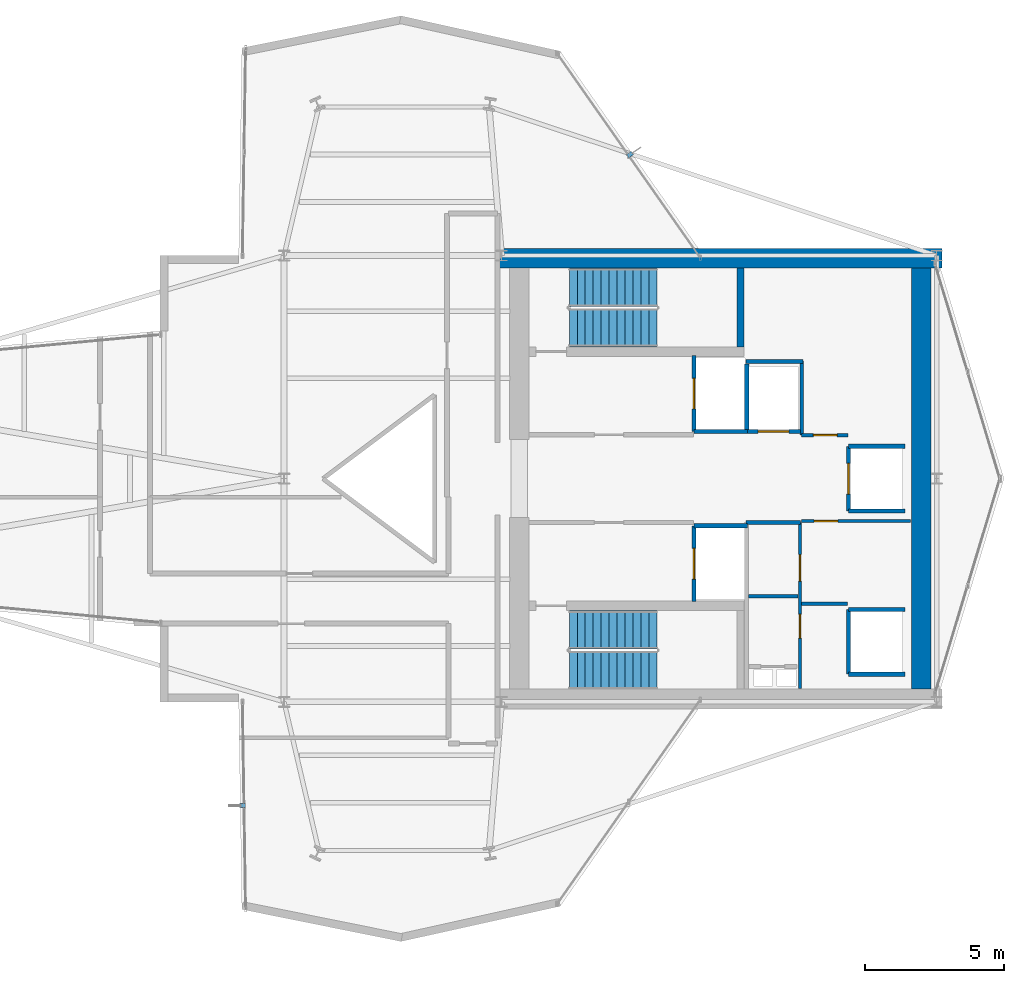
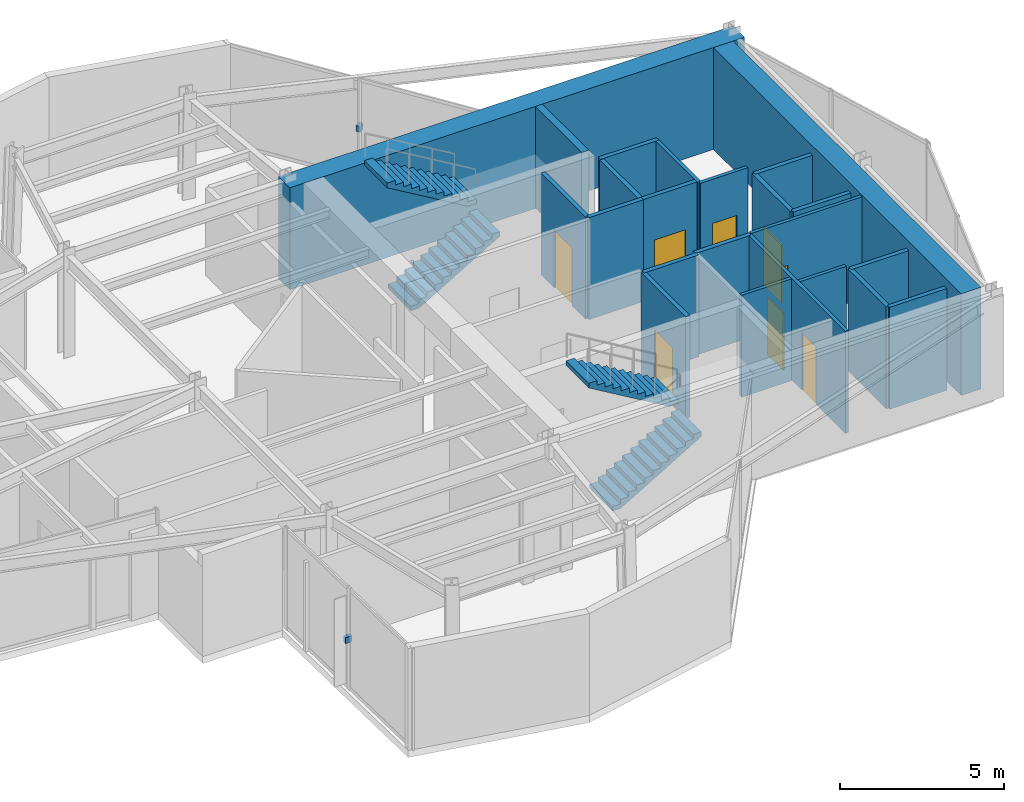
# One storey, part 22 of 23: 23 walls, 8 doors, 4 stair flights, 2 discrete accessories, 8 openings, 2 elements without a shape of their own.
"""IFC4 building model written with IfcOpenShell, lengths in metres."""

import ifcopenshell
import ifcopenshell.guid

model = None  # the IFC model being written
_history = None  # IfcOwnerHistory: only IFC2X3 demands one
_inside = {}  # id of a spatial element -> (the spatial element, [elements in it])
_under = {}  # id of a project, library or spatial element -> (it, [spatial elements below it])
_declared = {}  # id of a project -> (the project, [libraries it declares])
_typed = {}  # id of a type object -> (the type object, [elements of that type])
_made_of = {}  # id of a material, layer set ... -> (it, [elements and type objects made of it])


def new_model(schema):
    """Start an empty IFC model of exactly this schema.

    Asked for "IFC4X3", IfcOpenShell would pick the latest addendum, in which some entities
    have other attributes; the version numbers below select the first issue.
    IFC2X3 requires an IfcOwnerHistory on every rooted entity: one is made here for all.
    """
    global model, _history
    if schema == "IFC4X3":
        model = ifcopenshell.file(schema_version=(4, 3, 0, 0))
    else:
        model = ifcopenshell.file(schema=schema)
    _inside.clear()
    _under.clear()
    _declared.clear()
    _typed.clear()
    _made_of.clear()
    _history = None
    if model.schema == "IFC2X3":
        org = make("IfcOrganization", Name="unknown")
        user = make(
            "IfcPersonAndOrganization",
            ThePerson=make("IfcPerson", FamilyName="unknown"),
            TheOrganization=org,
        )
        app = make(
            "IfcApplication",
            ApplicationDeveloper=org,
            Version="unknown",
            ApplicationFullName="unknown",
            ApplicationIdentifier="unknown",
        )
        _history = make(
            "IfcOwnerHistory",
            OwningUser=user,
            OwningApplication=app,
            ChangeAction="ADDED",
            CreationDate=0,
        )
    return model


def make(cls, **values):
    """One entity of the class cls with the attributes given. An attribute that is None is left unset."""
    return model.create_entity(
        cls, **{name: value for name, value in values.items() if value is not None}
    )


def rooted(cls, **values):
    """An entity with a GlobalId (a new one), such as an element, a storey or a relation."""
    return make(cls, GlobalId=ifcopenshell.guid.new(), OwnerHistory=_history, **values)


def si_unit(unit_type, name, prefix=None):
    """IfcSIUnit, for example si_unit("LENGTHUNIT", "METRE", prefix="MILLI")."""
    return make("IfcSIUnit", UnitType=unit_type, Prefix=prefix, Name=name)


def assignment(units):
    """IfcUnitAssignment: the units of a project."""
    return None if units is None else make("IfcUnitAssignment", Units=units)


def point(xyz):
    """IfcCartesianPoint."""
    return None if xyz is None else make("IfcCartesianPoint", Coordinates=xyz)


def direction(xyz):
    """IfcDirection."""
    return None if xyz is None else make("IfcDirection", DirectionRatios=xyz)


def frame(location, z_axis=None, x_axis=None):
    """IfcAxis2Placement3D, a coordinate frame: its origin and axes. An axis left out is left unset."""
    return make(
        "IfcAxis2Placement3D",
        Location=point(location),
        Axis=direction(z_axis),
        RefDirection=direction(x_axis),
    )


def frame_2d(location, x_axis=None):
    """IfcAxis2Placement2D, a coordinate frame in the plane: its origin and x axis."""
    return make(
        "IfcAxis2Placement2D", Location=point(location), RefDirection=direction(x_axis)
    )


def origin():
    """The frame at (0, 0, 0) with its axes left unset."""
    return frame((0.0, 0.0, 0.0))


def origin_2d():
    """The frame at (0, 0) in the plane with its x axis left unset."""
    return frame_2d((0.0, 0.0))


def place(relative_to, where):
    """IfcLocalPlacement: puts the frame where relative to a parent placement (None: the world)."""
    return make(
        "IfcLocalPlacement", PlacementRelTo=relative_to, RelativePlacement=where
    )


def context(
    kind, dimensions, precision=None, world=None, true_north=None, identifier=None
):
    """IfcGeometricRepresentationContext, for example the 3D "Model" context."""
    return make(
        "IfcGeometricRepresentationContext",
        ContextIdentifier=identifier,
        ContextType=kind,
        CoordinateSpaceDimension=dimensions,
        Precision=precision,
        WorldCoordinateSystem=world,
        TrueNorth=true_north,
    )


def subcontext(parent, identifier, kind, view, scale=None):
    """IfcGeometricRepresentationSubContext, for example "Body" below "Model"."""
    return make(
        "IfcGeometricRepresentationSubContext",
        ContextIdentifier=identifier,
        ContextType=kind,
        ParentContext=parent,
        TargetScale=scale,
        TargetView=view,
    )


def project(units=None, contexts=None):
    """IfcProject with its units and contexts."""
    return rooted(
        "IfcProject",
        Name="project",
        RepresentationContexts=contexts,
        UnitsInContext=assignment(units),
    )


def spatial(cls, under=None, at=None, **own):
    """A site, building, storey or space (cls), placed at a placement, below another one or the project."""
    s = rooted(cls, ObjectPlacement=at, **own)
    if under is not None:
        _under.setdefault(under.id(), (under, []))[1].append(s)
    return s


def polyline(points):
    """IfcPolyline through the points."""
    return make("IfcPolyline", Points=[point(p) for p in points])


def profile(cls, at=None, kind="AREA", **sizes):
    """A parametric profile (cls). Its sizes go by their IFC names, for example OverallWidth=200.0."""
    return make(cls, ProfileType=kind, Position=at, **sizes)


def rectangle(**sizes):
    """IfcRectangleProfileDef."""
    return profile("IfcRectangleProfileDef", **sizes)


def outline(outer, holes=None, kind="AREA"):
    """IfcArbitraryClosedProfileDef: a profile drawn as a closed curve; with holes, ...WithVoids."""
    if holes is None:
        return make("IfcArbitraryClosedProfileDef", ProfileType=kind, OuterCurve=outer)
    return make(
        "IfcArbitraryProfileDefWithVoids",
        ProfileType=kind,
        OuterCurve=outer,
        InnerCurves=holes,
    )


def extrude(swept, where, along, depth):
    """IfcExtrudedAreaSolid: the profile swept, set in the frame where, extruded along a direction by depth."""
    return make(
        "IfcExtrudedAreaSolid",
        SweptArea=swept,
        Position=where,
        ExtrudedDirection=direction(along),
        Depth=depth,
    )


def shape(context_of_items, identifier, shape_type, items):
    """IfcShapeRepresentation: the items that make up one representation, for example the "Body"."""
    return make(
        "IfcShapeRepresentation",
        ContextOfItems=context_of_items,
        RepresentationIdentifier=identifier,
        RepresentationType=shape_type,
        Items=items,
    )


def material(Name=None, Category=None):
    """IfcMaterial."""
    return make("IfcMaterial", Name=Name, Category=Category)


def layer(
    of_material, thickness, ventilated=None, Name=None, Category=None, Priority=None
):
    """IfcMaterialLayer: one layer of a wall or slab, of a material (None: an air gap)."""
    return make(
        "IfcMaterialLayer",
        Material=of_material,
        LayerThickness=thickness,
        IsVentilated=ventilated,
        Name=Name,
        Category=Category,
        Priority=Priority,
    )


def layer_set(layers, Name=None):
    """IfcMaterialLayerSet."""
    return make("IfcMaterialLayerSet", MaterialLayers=layers, LayerSetName=Name)


def made_of(thing, what):
    """Note that an element or type object is made of a material, layer set ...; save() writes the relation."""
    if what is not None:
        _made_of.setdefault(what.id(), (what, []))[1].append(thing)
    return thing


def type_object(cls, material=None, **own):
    """A type object (cls), such as IfcWallType, which elements share."""
    return made_of(rooted(cls, **own), material)


def element(
    cls,
    number,
    at=None,
    inside=None,
    cuts=None,
    type_object=None,
    material=None,
    context=None,
    identifier="Body",
    shape_type=None,
    held_by="IfcProductDefinitionShape",
    body=None,
    shapes=None,
    **own,
):
    """One element of the class cls, such as IfcWall. Its Tag is "e" and its number.

    at: its placement. inside: the storey or other place that contains it. cuts: it is an
    opening in that element (IfcRelVoidsElement). A single representation is given by context,
    identifier, shape_type and body (its items); several are given by shapes. held_by: the class
    of the entity that holds the representations. save() writes the other relations.
    """
    e = rooted(cls, Tag="e%d" % number, ObjectPlacement=at, **own)
    if body is not None:
        shapes = [shape(context, identifier, shape_type, body)]
    if shapes is not None:
        e.Representation = make(held_by, Representations=shapes)
    if inside is not None:
        _inside.setdefault(inside.id(), (inside, []))[1].append(e)
    if cuts is not None:
        rooted(
            "IfcRelVoidsElement", RelatingBuildingElement=cuts, RelatedOpeningElement=e
        )
    if type_object is not None:
        _typed.setdefault(type_object.id(), (type_object, []))[1].append(e)
    return made_of(e, material)


def fill(opening, filler):
    """IfcRelFillsElement: the door or window that sits in an opening."""
    return rooted(
        "IfcRelFillsElement",
        RelatingOpeningElement=opening,
        RelatedBuildingElement=filler,
    )


def aggregate(whole, parts):
    """IfcRelAggregates: a whole, such as a stair, and the parts it consists of."""
    return rooted("IfcRelAggregates", RelatingObject=whole, RelatedObjects=parts)


def save(model, path):
    """Write the relations noted so far, then the file.

    IfcRelAggregates (storeys below a building ...), IfcRelContainedInSpatialStructure (elements
    in a storey), IfcRelDefinesByType, IfcRelAssociatesMaterial and IfcRelDeclares: one each for
    every whole, place, type object, material and project.
    """
    for whole, parts in _under.values():
        aggregate(whole, parts)
    for where, things in _inside.values():
        rooted(
            "IfcRelContainedInSpatialStructure",
            RelatedElements=things,
            RelatingStructure=where,
        )
    for kind, things in _typed.values():
        rooted("IfcRelDefinesByType", RelatedObjects=things, RelatingType=kind)
    for what, things in _made_of.values():
        rooted("IfcRelAssociatesMaterial", RelatedObjects=things, RelatingMaterial=what)
    for by, libraries in _declared.values():
        rooted("IfcRelDeclares", RelatingContext=by, RelatedDefinitions=libraries)
    model.write(path)


model = new_model("IFC4")

# Units and contexts
model_context = context("Model", 3, precision=1e-05, world=origin(), true_north=direction((0.0, 1.0)))
body_context = subcontext(model_context, "Body", "Model", "MODEL_VIEW")
ifc_project = project(units=[si_unit("LENGTHUNIT", "METRE"), si_unit("AREAUNIT", "SQUARE_METRE"), si_unit("VOLUMEUNIT", "CUBIC_METRE"), si_unit("PLANEANGLEUNIT", "RADIAN"), si_unit("MASSUNIT", "GRAM", prefix="KILO")], contexts=[model_context])

# Site, building, storey
site_placement = place(None, origin())
site = spatial("IfcSite", under=ifc_project, at=site_placement, CompositionType="ELEMENT")
building_placement = place(site_placement, origin())
building = spatial("IfcBuilding", under=site, at=building_placement, Name="Veymaron Broadcast Tower", CompositionType="ELEMENT")
storey_placement = place(building_placement, frame((0.0, 0.0, 224.25)))
storey = spatial("IfcBuildingStorey", under=building, at=storey_placement, Name="L52", CompositionType="ELEMENT", Elevation=224.25)

# Wall, opening, door
ifc_material_1 = material(Name="Gypsum fireboard and steel stud framing", Category="steel")
ifc_layer_1 = layer(ifc_material_1, 0.14990234375)
ifc_layer_set_1 = layer_set([ifc_layer_1], Name="Gypsum fireboard and steel stud framing")
wall_type_1 = type_object("IfcWallType", Name="WALL-FIRE-150", PredefinedType="PARTITIONING", material=ifc_layer_set_1)
wall_1_placement = place(storey_placement, frame((45.89501953125, 25.68994140625, 0.0), z_axis=(0.0, 0.0, 1.0), x_axis=(0.0, 1.0, 0.0)))
wall_1 = element("IfcWall", 1, at=wall_1_placement, inside=storey, type_object=wall_type_1, Name="L52 partition IW-L52-SHW-FFL-1", PredefinedType="PARTITIONING", context=body_context, shape_type="SweptSolid", body=[
    extrude(rectangle(XDim=2.719970703125, YDim=0.14990234375, at=frame_2d((1.35986328125, 0.0))), origin(), (0.0, 0.0, 1.0), 3.7900390625),
])
opening_1_placement = place(wall_1_placement, frame((0.81005859375, 0.0, 0.0)))
opening_1 = element("IfcOpeningElement", 2, at=opening_1_placement, cuts=wall_1, Name="Opening LD", PredefinedType="OPENING", context=body_context, shape_type="SweptSolid", body=[
    extrude(rectangle(XDim=1.10009765625, YDim=2.14990234375, at=frame_2d((0.550048828125, 1.074951171875))), frame((0.0, 0.0849609375, 0.0), z_axis=(0.0, -1.0, 0.0), x_axis=(1.0, 0.0, 0.0)), (0.0, 0.0, 1.0), 0.169921875),
])
ifc_material_2 = material(Name="Brushed stainless steel AISI 304", Category="steel")
door_type_1 = type_object("IfcDoorType", Name="DOOR-LIFT-1100", OperationType="DOUBLE_DOOR_SLIDING", PredefinedType="DOOR", material=ifc_material_2)
door_1_placement = place(opening_1_placement, frame((1.10009765625, 0.0, 0.0), z_axis=(0.0, 0.0, 1.0), x_axis=(-1.0, 0.0, 0.0)))
door_1 = element("IfcDoor", 3, at=door_1_placement, inside=storey, type_object=door_type_1, Name="L52 door LD-L52-FFL-1", OperationType="DOUBLE_DOOR_SLIDING", OverallHeight=2.14990234375, OverallWidth=1.10009765625, PredefinedType="DOOR", context=body_context, shape_type="SweptSolid", body=[
    extrude(rectangle(XDim=1.10009765625, YDim=2.14990234375, at=frame_2d((0.550048828125, 1.074951171875))), frame((0.0, 0.02490234375, 0.0), z_axis=(0.0, -1.0, 0.0), x_axis=(1.0, 0.0, 0.0)), (0.0, 0.0, 1.0), 0.050048828125),
])
fill(opening_1, door_1)

# Wall
wall_2_placement = place(storey_placement, frame((45.89501953125, 25.68994140625, 0.0), z_axis=(0.0, 0.0, 1.0), x_axis=(1.0, 0.0, 0.0)))
element("IfcWall", 4, at=wall_2_placement, inside=storey, type_object=wall_type_1, Name="L52 partition IW-L52-SHS-FFL-1", PredefinedType="PARTITIONING", context=body_context, shape_type="SweptSolid", body=[
    extrude(rectangle(XDim=1.9150390625, YDim=0.14990234375, at=frame_2d((0.95751953125, 0.0))), origin(), (0.0, 0.0, 1.0), 3.7900390625),
])

# Wall, opening, door
wall_3_placement = place(storey_placement, frame((45.89501953125, 19.590087890625, 0.0), z_axis=(0.0, 0.0, 1.0), x_axis=(0.0, 1.0, 0.0)))
wall_3 = element("IfcWall", 5, at=wall_3_placement, inside=storey, type_object=wall_type_1, Name="L52 partition IW-L52-SHW-FFL-2", PredefinedType="PARTITIONING", context=body_context, shape_type="SweptSolid", body=[
    extrude(rectangle(XDim=2.719970703125, YDim=0.14990234375, at=frame_2d((1.35986328125, 0.0))), origin(), (0.0, 0.0, 1.0), 3.7900390625),
])
opening_2_placement = place(wall_3_placement, frame((0.81005859375, 0.0, 0.0)))
opening_2 = element("IfcOpeningElement", 6, at=opening_2_placement, cuts=wall_3, Name="Opening LD", PredefinedType="OPENING", context=body_context, shape_type="SweptSolid", body=[
    extrude(rectangle(XDim=1.10009765625, YDim=2.14990234375, at=frame_2d((0.550048828125, 1.074951171875))), frame((0.0, 0.0849609375, 0.0), z_axis=(0.0, -1.0, 0.0), x_axis=(1.0, 0.0, 0.0)), (0.0, 0.0, 1.0), 0.169921875),
])
door_2_placement = place(opening_2_placement, frame((1.10009765625, 0.0, 0.0), z_axis=(0.0, 0.0, 1.0), x_axis=(-1.0, 0.0, 0.0)))
door_2 = element("IfcDoor", 7, at=door_2_placement, inside=storey, type_object=door_type_1, Name="L52 door LD-L52-FFL-2", OperationType="DOUBLE_DOOR_SLIDING", OverallHeight=2.14990234375, OverallWidth=1.10009765625, PredefinedType="DOOR", context=body_context, shape_type="SweptSolid", body=[
    extrude(rectangle(XDim=1.10009765625, YDim=2.14990234375, at=frame_2d((0.550048828125, 1.074951171875))), frame((0.0, 0.02490234375, 0.0), z_axis=(0.0, -1.0, 0.0), x_axis=(1.0, 0.0, 0.0)), (0.0, 0.0, 1.0), 0.050048828125),
])
fill(opening_2, door_2)

# Wall
wall_4_placement = place(storey_placement, frame((45.89501953125, 22.31005859375, 0.0), z_axis=(0.0, 0.0, 1.0), x_axis=(1.0, 0.0, 0.0)))
element("IfcWall", 8, at=wall_4_placement, inside=storey, type_object=wall_type_1, Name="L52 partition IW-L52-SHN-FFL-2", PredefinedType="PARTITIONING", context=body_context, shape_type="SweptSolid", body=[
    extrude(rectangle(XDim=1.9150390625, YDim=0.14990234375, at=frame_2d((0.95751953125, 0.0))), origin(), (0.0, 0.0, 1.0), 3.7900390625),
])

# Wall, opening, door
wall_5_placement = place(storey_placement, frame((47.7900390625, 25.695068359375, 0.0), z_axis=(0.0, 0.0, 1.0), x_axis=(1.0, 0.0, 0.0)))
wall_5 = element("IfcWall", 9, at=wall_5_placement, inside=storey, type_object=wall_type_1, Name="L52 partition IW-L52-SHS-SL-1", PredefinedType="PARTITIONING", context=body_context, shape_type="SweptSolid", body=[
    extrude(rectangle(XDim=1.919921875, YDim=0.14990234375, at=frame_2d((0.9599609375, 0.0))), origin(), (0.0, 0.0, 1.0), 3.7900390625),
])
opening_3_placement = place(wall_5_placement, frame((0.409912109375, 0.0, 0.0)))
opening_3 = element("IfcOpeningElement", 10, at=opening_3_placement, cuts=wall_5, Name="Opening LD", PredefinedType="OPENING", context=body_context, shape_type="SweptSolid", body=[
    extrude(rectangle(XDim=1.10009765625, YDim=2.14990234375, at=frame_2d((0.550048828125, 1.074951171875))), frame((0.0, 0.0849609375, 0.0), z_axis=(0.0, -1.0, 0.0), x_axis=(1.0, 0.0, 0.0)), (0.0, 0.0, 1.0), 0.169921875),
])
door_3_placement = place(opening_3_placement, frame((1.10009765625, 0.0, 0.0), z_axis=(0.0, 0.0, 1.0), x_axis=(-1.0, 0.0, 0.0)))
door_3 = element("IfcDoor", 11, at=door_3_placement, inside=storey, type_object=door_type_1, Name="L52 door LD-L52-SL-1", OperationType="DOUBLE_DOOR_SLIDING", OverallHeight=2.14990234375, OverallWidth=1.10009765625, PredefinedType="DOOR", context=body_context, shape_type="SweptSolid", body=[
    extrude(rectangle(XDim=1.10009765625, YDim=2.14990234375, at=frame_2d((0.550048828125, 1.074951171875))), frame((0.0, 0.02490234375, 0.0), z_axis=(0.0, -1.0, 0.0), x_axis=(1.0, 0.0, 0.0)), (0.0, 0.0, 1.0), 0.050048828125),
])
fill(opening_3, door_3)

# Wall
wall_6_placement = place(storey_placement, frame((47.7900390625, 25.695068359375, 0.0), z_axis=(0.0, 0.0, 1.0), x_axis=(0.0, 1.0, 0.0)))
element("IfcWall", 12, at=wall_6_placement, inside=storey, type_object=wall_type_1, Name="L52 partition IW-L52-SHW-SL-1", PredefinedType="PARTITIONING", context=body_context, shape_type="SweptSolid", body=[
    extrude(rectangle(XDim=2.4150390625, YDim=0.14990234375, at=frame_2d((1.20751953125, 0.0))), origin(), (0.0, 0.0, 1.0), 3.7900390625),
])

# Wall, opening, door
wall_7_placement = place(storey_placement, frame((51.445068359375, 22.840087890625, 0.0), z_axis=(0.0, 0.0, 1.0), x_axis=(0.0, 1.0, 0.0)))
wall_7 = element("IfcWall", 13, at=wall_7_placement, inside=storey, type_object=wall_type_1, Name="L52 partition IW-L52-SHW-PM3", PredefinedType="PARTITIONING", context=body_context, shape_type="SweptSolid", body=[
    extrude(rectangle(XDim=2.31982421875, YDim=0.14990234375, at=frame_2d((1.159912109375, 0.0))), origin(), (0.0, 0.0, 1.0), 3.7900390625),
])
opening_4_placement = place(wall_7_placement, frame((0.610107421875, 0.0, 0.0)))
opening_4 = element("IfcOpeningElement", 14, at=opening_4_placement, cuts=wall_7, Name="Opening LD", PredefinedType="OPENING", context=body_context, shape_type="SweptSolid", body=[
    extrude(rectangle(XDim=1.10009765625, YDim=2.14990234375, at=frame_2d((0.550048828125, 1.074951171875))), frame((0.0, 0.0849609375, 0.0), z_axis=(0.0, -1.0, 0.0), x_axis=(1.0, 0.0, 0.0)), (0.0, 0.0, 1.0), 0.169921875),
])
door_4_placement = place(opening_4_placement, frame((1.10009765625, 0.0, 0.0), z_axis=(0.0, 0.0, 1.0), x_axis=(-1.0, 0.0, 0.0)))
door_4 = element("IfcDoor", 15, at=door_4_placement, inside=storey, type_object=door_type_1, Name="L52 door LD-L52-PM3", OperationType="DOUBLE_DOOR_SLIDING", OverallHeight=2.14990234375, OverallWidth=1.10009765625, PredefinedType="DOOR", context=body_context, shape_type="SweptSolid", body=[
    extrude(rectangle(XDim=1.10009765625, YDim=2.14990234375, at=frame_2d((0.550048828125, 1.074951171875))), frame((0.0, 0.02490234375, 0.0), z_axis=(0.0, -1.0, 0.0), x_axis=(1.0, 0.0, 0.0)), (0.0, 0.0, 1.0), 0.050048828125),
])
fill(opening_4, door_4)

# Walls
for number, where, z_axis, x_axis, name in (
    (16, (51.445068359375, 22.840087890625, 0.0), (0.0, 0.0, 1.0), (1.0, 0.0, 0.0), "L52 partition IW-L52-SHS-PM3"),
    (17, (51.445068359375, 25.159912109375, 0.0), (0.0, 0.0, 1.0), (1.0, 0.0, 0.0), "L52 partition IW-L52-SHN-PM3"),
):
    element("IfcWall", number, at=place(storey_placement, frame(where, z_axis=z_axis, x_axis=x_axis)), inside=storey, type_object=wall_type_1, Name=name, PredefinedType="PARTITIONING", context=body_context, shape_type="SweptSolid", body=[
        extrude(rectangle(XDim=2.014892578125, YDim=0.14990234375, at=frame_2d((1.00732421875, 0.0))), origin(), (0.0, 0.0, 1.0), 3.7900390625),
    ])
wall_8_placement = place(storey_placement, frame((51.445068359375, 16.989990234375, 0.0), z_axis=(0.0, 0.0, 1.0), x_axis=(0.0, 1.0, 0.0)))
element("IfcWall", 18, at=wall_8_placement, inside=storey, type_object=wall_type_1, Name="L52 partition IW-L52-SHW-PH1", PredefinedType="PARTITIONING", context=body_context, shape_type="SweptSolid", body=[
    extrude(rectangle(XDim=2.320068359375, YDim=0.14990234375, at=frame_2d((1.16015625, 0.0))), origin(), (0.0, 0.0, 1.0), 3.7900390625),
])
for number, where, z_axis, x_axis, name in (
    (19, (51.445068359375, 16.989990234375, 0.0), (0.0, 0.0, 1.0), (1.0, 0.0, 0.0), "L52 partition IW-L52-SHS-PH1"),
    (20, (51.445068359375, 19.31005859375, 0.0), (0.0, 0.0, 1.0), (1.0, 0.0, 0.0), "L52 partition IW-L52-SHN-PH1"),
):
    element("IfcWall", number, at=place(storey_placement, frame(where, z_axis=z_axis, x_axis=x_axis)), inside=storey, type_object=wall_type_1, Name=name, PredefinedType="PARTITIONING", context=body_context, shape_type="SweptSolid", body=[
        extrude(rectangle(XDim=2.014892578125, YDim=0.14990234375, at=frame_2d((1.00732421875, 0.0))), origin(), (0.0, 0.0, 1.0), 3.7900390625),
    ])
wall_9_placement = place(storey_placement, frame((47.760009765625, 22.425048828125, 0.0), z_axis=(0.0, 0.0, 1.0), x_axis=(1.0, 0.0, 0.0)))
element("IfcWall", 21, at=wall_9_placement, inside=storey, type_object=wall_type_1, Name="L52 partition IW-L52-SM-N", PredefinedType="PARTITIONING", context=body_context, shape_type="SweptSolid", body=[
    extrude(rectangle(XDim=1.9599609375, YDim=0.14990234375, at=frame_2d((0.97998046875, 0.0))), origin(), (0.0, 0.0, 1.0), 3.7900390625),
])
wall_10_placement = place(storey_placement, frame((47.760009765625, 28.199951171875, 0.0), z_axis=(0.0, 0.0, 1.0), x_axis=(1.0, 0.0, 0.0)))
element("IfcWall", 22, at=wall_10_placement, inside=storey, type_object=wall_type_1, Name="L52 partition IW-L52-F2-SW", PredefinedType="PARTITIONING", context=body_context, shape_type="SweptSolid", body=[
    extrude(rectangle(XDim=2.0400390625, YDim=0.14990234375, at=frame_2d((1.02001953125, 0.0))), origin(), (0.0, 0.0, 1.0), 3.7900390625),
])
ifc_material_3 = material(Name="Acoustic gypsum board and galvanized stud", Category="gypsum")
ifc_layer_2 = layer(ifc_material_3, 0.1201171875)
ifc_layer_set_2 = layer_set([ifc_layer_2], Name="Acoustic gypsum board and galvanized stud")
wall_type_2 = type_object("IfcWallType", Name="WALL-PART-120", PredefinedType="PARTITIONING", material=ifc_layer_set_2)
wall_11_placement = place(storey_placement, frame((47.860107421875, 19.780029296875, 0.0), z_axis=(0.0, 0.0, 1.0), x_axis=(1.0, 0.0, 0.0)))
element("IfcWall", 23, at=wall_11_placement, inside=storey, type_object=wall_type_2, Name="L52 partition IW-L52-SM-DIV", PredefinedType="PARTITIONING", context=body_context, shape_type="SweptSolid", body=[
    extrude(rectangle(XDim=1.760009765625, YDim=0.1201171875, at=frame_2d((0.8798828125, 0.0))), origin(), (0.0, 0.0, 1.0), 3.7900390625),
])

# Wall, openings, doors
wall_12_placement = place(storey_placement, frame((49.699951171875, 16.47998046875, 0.0), z_axis=(0.0, 0.0, 1.0), x_axis=(0.0, 1.0, 0.0)))
wall_12 = element("IfcWall", 24, at=wall_12_placement, inside=storey, type_object=wall_type_2, Name="L52 partition IW-L52-SM-E", PredefinedType="PARTITIONING", context=body_context, shape_type="SweptSolid", body=[
    extrude(rectangle(XDim=5.945068359375, YDim=0.1201171875, at=frame_2d((2.97265625, 0.0))), origin(), (0.0, 0.0, 1.0), 3.7900390625),
])
opening_5_placement = place(wall_12_placement, frame((1.800048828125, 0.0, 0.0)))
opening_5 = element("IfcOpeningElement", 25, at=opening_5_placement, cuts=wall_12, Name="Opening ID-WC1", PredefinedType="OPENING", context=body_context, shape_type="SweptSolid", body=[
    extrude(rectangle(XDim=0.85009765625, YDim=2.14990234375, at=frame_2d((0.425048828125, 1.074951171875))), frame((0.0, 0.070068359375, 0.0), z_axis=(0.0, -1.0, 0.0), x_axis=(1.0, 0.0, 0.0)), (0.0, 0.0, 1.0), 0.14013671875),
])
opening_6_placement = place(wall_12_placement, frame((3.85009765625, 0.0, 0.0)))
opening_6 = element("IfcOpeningElement", 26, at=opening_6_placement, cuts=wall_12, Name="Opening ID-RM1", PredefinedType="OPENING", context=body_context, shape_type="SweptSolid", body=[
    extrude(rectangle(XDim=0.949951171875, YDim=2.14990234375, at=frame_2d((0.47509765625, 1.074951171875))), frame((0.0, 0.070068359375, 0.0), z_axis=(0.0, -1.0, 0.0), x_axis=(1.0, 0.0, 0.0)), (0.0, 0.0, 1.0), 0.14013671875),
])
ifc_material_4 = material(Name="Moisture-resistant high-pressure laminate timber", Category="wood")
door_type_2 = type_object("IfcDoorType", Name="DOOR-INT-850", OperationType="NOTDEFINED", PredefinedType="DOOR", material=ifc_material_4)
door_5_placement = place(opening_5_placement, frame((0.85009765625, 0.0, 0.0), z_axis=(0.0, 0.0, 1.0), x_axis=(-1.0, 0.0, 0.0)))
door_5 = element("IfcDoor", 27, at=door_5_placement, inside=storey, type_object=door_type_2, Name="L52 door DR-L52-SWC", OperationType="SINGLE_SWING_LEFT", OverallHeight=2.14990234375, OverallWidth=0.85009765625, PredefinedType="DOOR", context=body_context, shape_type="SweptSolid", body=[
    extrude(rectangle(XDim=0.85009765625, YDim=2.14990234375, at=frame_2d((0.425048828125, 1.074951171875))), frame((0.0, 0.02490234375, 0.0), z_axis=(0.0, -1.0, 0.0), x_axis=(1.0, 0.0, 0.0)), (0.0, 0.0, 1.0), 0.050048828125),
])
fill(opening_5, door_5)
ifc_material_5 = material(Name="Acoustic solid-core European oak veneer timber", Category="wood")
door_type_3 = type_object("IfcDoorType", Name="DOOR-INT-950", OperationType="NOTDEFINED", PredefinedType="DOOR", material=ifc_material_5)
door_6_placement = place(opening_6_placement, frame((0.949951171875, 0.0, 0.0), z_axis=(0.0, 0.0, 1.0), x_axis=(-1.0, 0.0, 0.0)))
door_6 = element("IfcDoor", 28, at=door_6_placement, inside=storey, type_object=door_type_3, Name="L52 door DR-L52-AWC", OperationType="SINGLE_SWING_RIGHT", OverallHeight=2.14990234375, OverallWidth=0.949951171875, PredefinedType="DOOR", context=body_context, shape_type="SweptSolid", body=[
    extrude(rectangle(XDim=0.949951171875, YDim=2.14990234375, at=frame_2d((0.47509765625, 1.074951171875))), frame((0.0, 0.02490234375, 0.0), z_axis=(0.0, -1.0, 0.0), x_axis=(1.0, 0.0, 0.0)), (0.0, 0.0, 1.0), 0.050048828125),
])
fill(opening_6, door_6)

# Wall, opening, door
wall_13_placement = place(storey_placement, frame((49.760009765625, 22.47998046875, 0.0), z_axis=(0.0, 0.0, 1.0), x_axis=(1.0, 0.0, 0.0)))
wall_13 = element("IfcWall", 29, at=wall_13_placement, inside=storey, type_object=wall_type_2, Name="L52 partition IW-L52-F2S-N", PredefinedType="PARTITIONING", context=body_context, shape_type="SweptSolid", body=[
    extrude(rectangle(XDim=3.89990234375, YDim=0.1201171875, at=frame_2d((1.949951171875, 0.0))), origin(), (0.0, 0.0, 1.0), 3.7900390625),
])
opening_7_placement = place(wall_13_placement, frame((0.449951171875, 0.0, 0.0)))
opening_7 = element("IfcOpeningElement", 30, at=opening_7_placement, cuts=wall_13, Name="Opening ID-WC1", PredefinedType="OPENING", context=body_context, shape_type="SweptSolid", body=[
    extrude(rectangle(XDim=0.85009765625, YDim=2.14990234375, at=frame_2d((0.425048828125, 1.074951171875))), frame((0.0, 0.070068359375, 0.0), z_axis=(0.0, -1.0, 0.0), x_axis=(1.0, 0.0, 0.0)), (0.0, 0.0, 1.0), 0.14013671875),
])
door_7_placement = place(opening_7_placement, frame((0.85009765625, 0.0, 0.0), z_axis=(0.0, 0.0, 1.0), x_axis=(-1.0, 0.0, 0.0)))
door_7 = element("IfcDoor", 31, at=door_7_placement, inside=storey, type_object=door_type_2, Name="L52 door DR-L52-F2S", OperationType="SINGLE_SWING_LEFT", OverallHeight=2.14990234375, OverallWidth=0.85009765625, PredefinedType="DOOR", context=body_context, shape_type="SweptSolid", body=[
    extrude(rectangle(XDim=0.85009765625, YDim=2.14990234375, at=frame_2d((0.425048828125, 1.074951171875))), frame((0.0, 0.02490234375, 0.0), z_axis=(0.0, -1.0, 0.0), x_axis=(1.0, 0.0, 0.0)), (0.0, 0.0, 1.0), 0.050048828125),
])
fill(opening_7, door_7)

# Walls
wall_14_placement = place(storey_placement, frame((49.760009765625, 19.52001953125, 0.0), z_axis=(0.0, 0.0, 1.0), x_axis=(1.0, 0.0, 0.0)))
element("IfcWall", 32, at=wall_14_placement, inside=storey, type_object=wall_type_2, Name="L52 partition IW-L52-F2S-S", PredefinedType="PARTITIONING", context=body_context, shape_type="SweptSolid", body=[
    extrude(rectangle(XDim=1.639892578125, YDim=0.1201171875, at=frame_2d((0.81982421875, 0.0))), origin(), (0.0, 0.0, 1.0), 3.7900390625),
])
wall_15_placement = place(storey_placement, frame((49.760009765625, 25.56005859375, 0.0), z_axis=(0.0, 0.0, 1.0), x_axis=(0.0, 1.0, 0.0)))
element("IfcWall", 33, at=wall_15_placement, inside=storey, type_object=wall_type_2, Name="L52 partition IW-L52-F2-W1", PredefinedType="PARTITIONING", context=body_context, shape_type="SweptSolid", body=[
    extrude(rectangle(XDim=2.659912109375, YDim=0.1201171875, at=frame_2d((1.330078125, 0.0))), origin(), (0.0, 0.0, 1.0), 3.7900390625),
])

# Wall, opening, door
wall_16_placement = place(storey_placement, frame((49.760009765625, 25.56005859375, 0.0), z_axis=(0.0, 0.0, 1.0), x_axis=(1.0, 0.0, 0.0)))
wall_16 = element("IfcWall", 34, at=wall_16_placement, inside=storey, type_object=wall_type_2, Name="L52 partition IW-L52-F2-S", PredefinedType="PARTITIONING", context=body_context, shape_type="SweptSolid", body=[
    extrude(rectangle(XDim=1.659912109375, YDim=0.1201171875, at=frame_2d((0.830078125, 0.0))), origin(), (0.0, 0.0, 1.0), 3.7900390625),
])
opening_8_placement = place(wall_16_placement, frame((0.419921875, 0.0, 0.0)))
opening_8 = element("IfcOpeningElement", 35, at=opening_8_placement, cuts=wall_16, Name="Opening ID-WC1", PredefinedType="OPENING", context=body_context, shape_type="SweptSolid", body=[
    extrude(rectangle(XDim=0.85009765625, YDim=2.14990234375, at=frame_2d((0.425048828125, 1.074951171875))), frame((0.0, 0.070068359375, 0.0), z_axis=(0.0, -1.0, 0.0), x_axis=(1.0, 0.0, 0.0)), (0.0, 0.0, 1.0), 0.14013671875),
])
door_8_placement = place(opening_8_placement, origin())
door_8 = element("IfcDoor", 36, at=door_8_placement, inside=storey, type_object=door_type_2, Name="L52 door DR-L52-F2A", OperationType="SINGLE_SWING_LEFT", OverallHeight=2.14990234375, OverallWidth=0.85009765625, PredefinedType="DOOR", context=body_context, shape_type="SweptSolid", body=[
    extrude(rectangle(XDim=0.85009765625, YDim=2.14990234375, at=frame_2d((0.425048828125, 1.074951171875))), frame((0.0, 0.02490234375, 0.0), z_axis=(0.0, -1.0, 0.0), x_axis=(1.0, 0.0, 0.0)), (0.0, 0.0, 1.0), 0.050048828125),
])
fill(opening_8, door_8)

# Walls
ifc_material_6 = material(Name="Concrete C50/60", Category="concrete")
ifc_layer_3 = layer(ifc_material_6, 0.25)
ifc_layer_set_3 = layer_set([ifc_layer_3], Name="Concrete C50/60")
wall_type_3 = type_object("IfcWallType", Name="WALL-SHEAR-250", PredefinedType="SHEAR", material=ifc_layer_set_3)
wall_17_placement = place(storey_placement, frame((47.56494140625, 28.72998046875, 0.0), z_axis=(0.0, 0.0, 1.0), x_axis=(0.0, 1.0, 0.0)))
element("IfcWall", 37, at=wall_17_placement, inside=storey, type_object=wall_type_3, Name="L52 Core Wall north stair east shear", PredefinedType="SHEAR", context=body_context, shape_type="SweptSolid", body=[
    extrude(rectangle(XDim=2.820068359375, YDim=0.25, at=frame_2d((1.41015625, 0.0))), origin(), (0.0, 0.0, 1.0), 3.7900390625),
])
ifc_material_7 = material(Name="Concrete C60/75", Category="concrete")
ifc_layer_4 = layer(ifc_material_7, 0.699951171875)
ifc_layer_set_4 = layer_set([ifc_layer_4], Name="Concrete C60/75")
wall_type_4 = type_object("IfcWallType", Name="WALL-SHEAR-700", PredefinedType="SHEAR", material=ifc_layer_set_4)
wall_18_placement = place(storey_placement, frame((38.800048828125, 31.89990234375, 0.0), z_axis=(0.0, 0.0, 1.0), x_axis=(1.0, 0.0, 0.0)))
element("IfcWall", 38, at=wall_18_placement, inside=storey, type_object=wall_type_4, Name="L52 Core Wall north shear", PredefinedType="SHEAR", context=body_context, shape_type="SweptSolid", body=[
    extrude(rectangle(XDim=16.0, YDim=0.699951171875, at=frame_2d((8.0, 0.0))), origin(), (0.0, 0.0, 1.0), 3.7900390625),
])
wall_19_placement = place(storey_placement, frame((54.050048828125, 16.449951171875, 0.0), z_axis=(0.0, 0.0, 1.0), x_axis=(0.0, 1.0, 0.0)))
element("IfcWall", 39, at=wall_19_placement, inside=storey, type_object=wall_type_4, Name="L52 Core Wall east shear", PredefinedType="SHEAR", context=body_context, shape_type="SweptSolid", body=[
    extrude(rectangle(XDim=15.10009765625, YDim=0.699951171875, at=frame_2d((7.550048828125, 0.0))), origin(), (0.0, 0.0, 1.0), 3.7900390625),
])

# Stair, stair flights
stair_type_1 = type_object("IfcStairType", Name="STAIR-CORE-1", PredefinedType="HALF_TURN_STAIR", material=ifc_material_6)
stair_1_placement = place(storey_placement, origin())
stair_1 = element("IfcStair", 40, at=stair_1_placement, inside=storey, type_object=stair_type_1, Name="L52 North protected dog-leg exit stair ST1", PredefinedType="HALF_TURN_STAIR")
ifc_material_8 = material(Name="Precast concrete C50/60", Category="concrete")
stair_flight_type = type_object("IfcStairFlightType", Name="FLT-CORE-RC", PredefinedType="STRAIGHT", material=ifc_material_8)
stair_flight_1_placement = place(storey_placement, frame((41.429931640625, 29.419921875, 0.0), z_axis=(0.0, 0.0, 1.0), x_axis=(1.0, 0.0, 0.0)))
stair_flight_1 = element("IfcStairFlight", 41, at=stair_flight_1_placement, type_object=stair_flight_type, Name="ST1 flight 1", NumberOfRisers=12, NumberOfTreads=11, PredefinedType="STRAIGHT", RiserHeight=0.16875, TreadLength=0.285, context=body_context, shape_type="SweptSolid", body=[
    extrude(outline(polyline([(0.0, 0.0), (0.0, 0.168701171875), (0.284912109375, 0.168701171875), (0.284912109375, 0.33740234375), (0.570068359375, 0.33740234375), (0.570068359375, 0.50634765625), (0.85498046875, 0.50634765625), (0.85498046875, 0.675048828125), (1.139892578125, 0.675048828125), (1.139892578125, 0.84375), (1.425048828125, 0.84375), (1.425048828125, 1.012451171875), (1.7099609375, 1.012451171875), (1.7099609375, 1.18115234375), (1.9951171875, 1.18115234375), (1.9951171875, 1.35009765625), (2.280029296875, 1.35009765625), (2.280029296875, 1.518798828125), (2.56494140625, 1.518798828125), (2.56494140625, 1.6875), (2.85009765625, 1.6875), (2.85009765625, 1.856201171875), (3.135009765625, 1.856201171875), (3.135009765625, 2.02490234375), (3.135009765625, 1.68212890625), (0.294189453125, 0.0), (0.0, 0.0)])), frame((0.0, 0.68994140625, 0.0), z_axis=(0.0, -1.0, 0.0), x_axis=(1.0, 0.0, 0.0)), (0.0, 0.0, 1.0), 1.3798828125),
])
stair_flight_2_placement = place(storey_placement, frame((44.56494140625, 30.860107421875, 2.02490234375), z_axis=(0.0, 0.0, 1.0), x_axis=(-1.0, 0.0, 0.0)))
stair_flight_2 = element("IfcStairFlight", 42, at=stair_flight_2_placement, type_object=stair_flight_type, Name="ST1 flight 2", NumberOfRisers=12, NumberOfTreads=11, PredefinedType="STRAIGHT", RiserHeight=0.16875, TreadLength=0.285, context=body_context, shape_type="SweptSolid", body=[
    extrude(outline(polyline([(0.0, 0.0), (0.0, 0.168701171875), (0.284912109375, 0.168701171875), (0.284912109375, 0.33740234375), (0.570068359375, 0.33740234375), (0.570068359375, 0.50634765625), (0.85498046875, 0.50634765625), (0.85498046875, 0.675048828125), (1.139892578125, 0.675048828125), (1.139892578125, 0.84375), (1.425048828125, 0.84375), (1.425048828125, 1.012451171875), (1.7099609375, 1.012451171875), (1.7099609375, 1.18115234375), (1.9951171875, 1.18115234375), (1.9951171875, 1.35009765625), (2.280029296875, 1.35009765625), (2.280029296875, 1.518798828125), (2.56494140625, 1.518798828125), (2.56494140625, 1.6875), (2.85009765625, 1.6875), (2.85009765625, 1.856201171875), (3.135009765625, 1.856201171875), (3.135009765625, 2.02490234375), (3.135009765625, 1.68212890625), (0.294189453125, 0.0), (0.0, 0.0)])), frame((0.0, 0.68994140625, 0.0), z_axis=(0.0, -1.0, 0.0), x_axis=(1.0, 0.0, 0.0)), (0.0, 0.0, 1.0), 1.3798828125),
])
aggregate(stair_1, [stair_flight_1, stair_flight_2])

stair_type_2 = type_object("IfcStairType", Name="STAIR-CORE-2", PredefinedType="HALF_TURN_STAIR", material=ifc_material_6)
stair_2_placement = place(storey_placement, origin())
stair_2 = element("IfcStair", 43, at=stair_2_placement, inside=storey, type_object=stair_type_2, Name="L52 South protected dog-leg exit stair ST2", PredefinedType="HALF_TURN_STAIR")
stair_flight_3_placement = place(storey_placement, frame((41.429931640625, 17.139892578125, 0.0), z_axis=(0.0, 0.0, 1.0), x_axis=(1.0, 0.0, 0.0)))
stair_flight_3 = element("IfcStairFlight", 44, at=stair_flight_3_placement, type_object=stair_flight_type, Name="ST2 flight 1", NumberOfRisers=12, NumberOfTreads=11, PredefinedType="STRAIGHT", RiserHeight=0.16875, TreadLength=0.285, context=body_context, shape_type="SweptSolid", body=[
    extrude(outline(polyline([(0.0, 0.0), (0.0, 0.168701171875), (0.284912109375, 0.168701171875), (0.284912109375, 0.33740234375), (0.570068359375, 0.33740234375), (0.570068359375, 0.50634765625), (0.85498046875, 0.50634765625), (0.85498046875, 0.675048828125), (1.139892578125, 0.675048828125), (1.139892578125, 0.84375), (1.425048828125, 0.84375), (1.425048828125, 1.012451171875), (1.7099609375, 1.012451171875), (1.7099609375, 1.18115234375), (1.9951171875, 1.18115234375), (1.9951171875, 1.35009765625), (2.280029296875, 1.35009765625), (2.280029296875, 1.518798828125), (2.56494140625, 1.518798828125), (2.56494140625, 1.6875), (2.85009765625, 1.6875), (2.85009765625, 1.856201171875), (3.135009765625, 1.856201171875), (3.135009765625, 2.02490234375), (3.135009765625, 1.68212890625), (0.294189453125, 0.0), (0.0, 0.0)])), frame((0.0, 0.68994140625, 0.0), z_axis=(0.0, -1.0, 0.0), x_axis=(1.0, 0.0, 0.0)), (0.0, 0.0, 1.0), 1.3798828125),
])
stair_flight_4_placement = place(storey_placement, frame((44.56494140625, 18.580078125, 2.02490234375), z_axis=(0.0, 0.0, 1.0), x_axis=(-1.0, 0.0, 0.0)))
stair_flight_4 = element("IfcStairFlight", 45, at=stair_flight_4_placement, type_object=stair_flight_type, Name="ST2 flight 2", NumberOfRisers=12, NumberOfTreads=11, PredefinedType="STRAIGHT", RiserHeight=0.16875, TreadLength=0.285, context=body_context, shape_type="SweptSolid", body=[
    extrude(outline(polyline([(0.0, 0.0), (0.0, 0.168701171875), (0.284912109375, 0.168701171875), (0.284912109375, 0.33740234375), (0.570068359375, 0.33740234375), (0.570068359375, 0.50634765625), (0.85498046875, 0.50634765625), (0.85498046875, 0.675048828125), (1.139892578125, 0.675048828125), (1.139892578125, 0.84375), (1.425048828125, 0.84375), (1.425048828125, 1.012451171875), (1.7099609375, 1.012451171875), (1.7099609375, 1.18115234375), (1.9951171875, 1.18115234375), (1.9951171875, 1.35009765625), (2.280029296875, 1.35009765625), (2.280029296875, 1.518798828125), (2.56494140625, 1.518798828125), (2.56494140625, 1.6875), (2.85009765625, 1.6875), (2.85009765625, 1.856201171875), (3.135009765625, 1.856201171875), (3.135009765625, 2.02490234375), (3.135009765625, 1.68212890625), (0.294189453125, 0.0), (0.0, 0.0)])), frame((0.0, 0.68994140625, 0.0), z_axis=(0.0, -1.0, 0.0), x_axis=(1.0, 0.0, 0.0)), (0.0, 0.0, 1.0), 1.3798828125),
])
aggregate(stair_2, [stair_flight_3, stair_flight_4])

# Discrete accessories
ifc_material_9 = material(Name="Austenitic stainless steel AISI 316L", Category="steel")
ifc_layer_5 = layer(ifc_material_9, 0.1201171875)
ifc_layer_set_5 = layer_set([ifc_layer_5], Name="Austenitic stainless steel AISI 316L")
discrete_accessory_type = type_object("IfcDiscreteAccessoryType", Name="ACC-BRKT-SS1", PredefinedType="BRACKET", material=ifc_layer_set_5)
for number, where, z_axis, x_axis, name in (
    (46, (43.605224609375, 35.619140625, 1.78515625), (0.0, 0.0, 1.0), (0.818921729957, 0.573905218834, 0.0), "CW-L52-E5-1 fin bracket 1"),
    (47, (29.7099609375, 12.27880859375, 1.78515625), (0.0, 0.0, 1.0), (-0.999880170622, -0.015480452098, 0.0), "CW-L52-E17-1 fin bracket 1"),
):
    element("IfcDiscreteAccessory", number, at=place(storey_placement, frame(where, z_axis=z_axis, x_axis=x_axis)), inside=storey, type_object=discrete_accessory_type, Name=name, PredefinedType="BRACKET", context=body_context, shape_type="SweptSolid", body=[
        extrude(rectangle(XDim=0.219970703125, YDim=0.139892578125, at=origin_2d()), origin(), (0.0, 0.0, 1.0), 0.219970703125),
    ])

save(model, "model.ifc")
